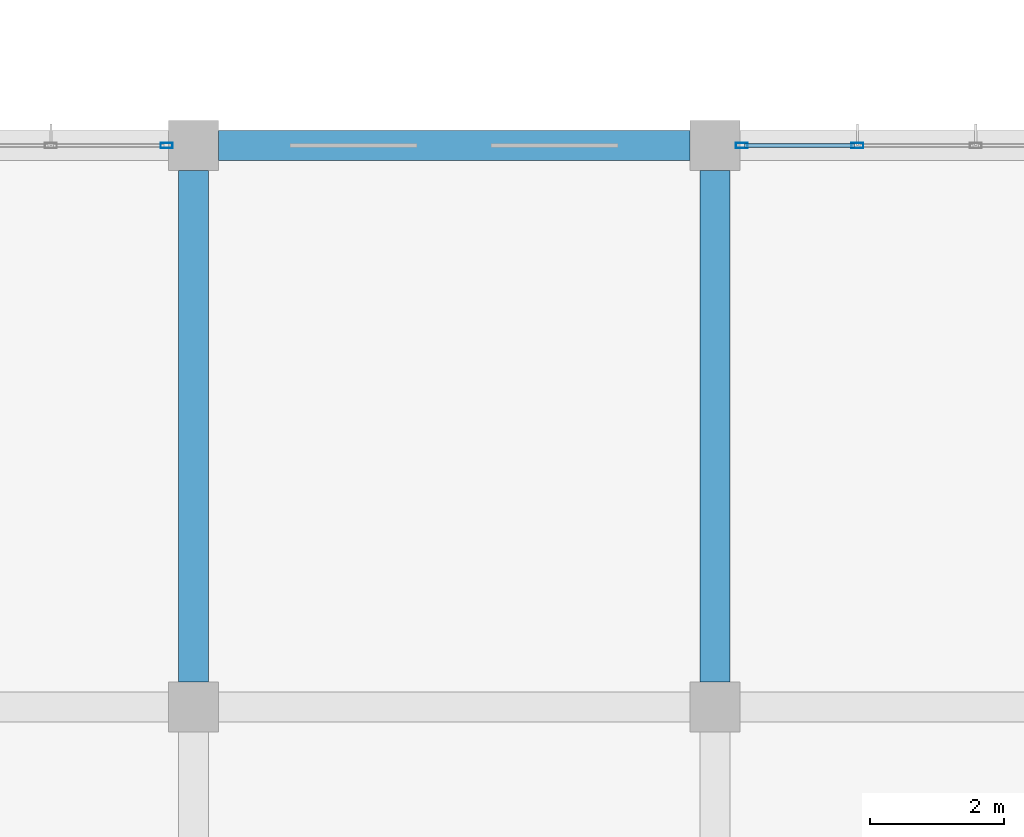
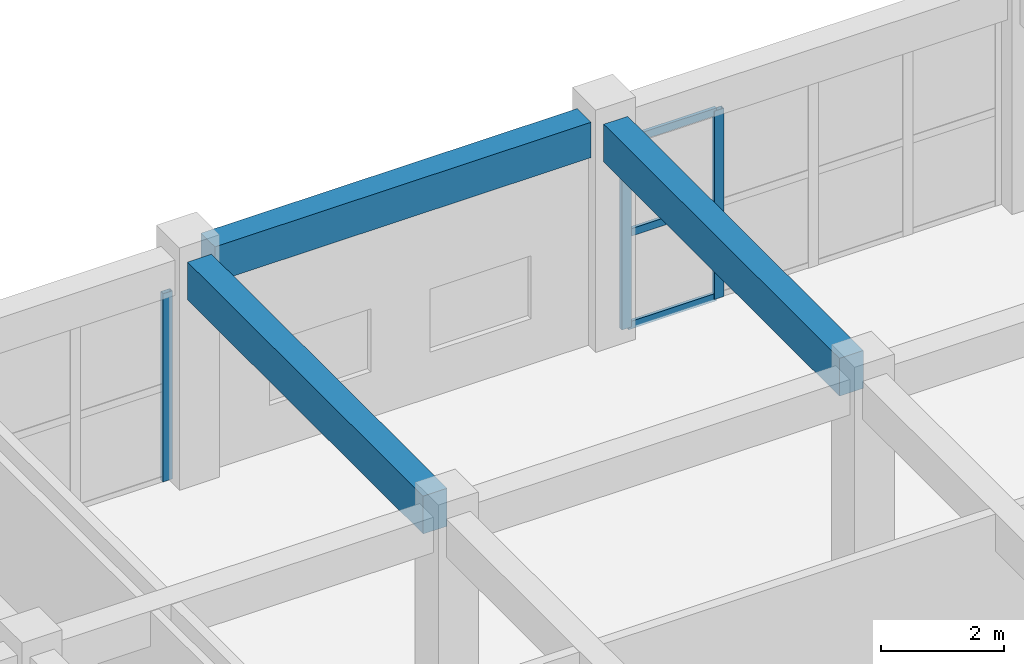
# One storey, part 121 of 167: 6 members, 3 beams, 2 elements without a shape of their own.
"""IFC4 building model written with IfcOpenShell, lengths in metres."""

from ifc_helpers import new_model, si_unit, direction, frame, origin, origin_2d, place, context, subcontext, project, spatial, rectangle, hollow_rectangle, extrude, material, layer, layer_set, material_profile, profile_set, type_object, element, aggregate, save


model = new_model("IFC4")

# Units and contexts
model_context = context("Model", 3, precision=1e-05, world=origin(), true_north=direction((0.0, 1.0)))
body_context = subcontext(model_context, "Body", "Model", "MODEL_VIEW")
ifc_project = project(units=[si_unit("LENGTHUNIT", "METRE"), si_unit("AREAUNIT", "SQUARE_METRE"), si_unit("VOLUMEUNIT", "CUBIC_METRE"), si_unit("PLANEANGLEUNIT", "RADIAN"), si_unit("MASSUNIT", "GRAM", prefix="KILO")], contexts=[model_context])

# Site, building, storey
site_placement = place(None, origin())
site = spatial("IfcSite", under=ifc_project, at=site_placement, CompositionType="ELEMENT")
building_placement = place(site_placement, origin())
building = spatial("IfcBuilding", under=site, at=building_placement, Name="Zizhar Promenade General Hospital", CompositionType="ELEMENT")
storey_placement = place(building_placement, frame((0.0, 0.0, 9.60009765625)))
storey = spatial("IfcBuildingStorey", under=building, at=storey_placement, Name="L02", CompositionType="ELEMENT", Elevation=9.60009765625)

# Beams
ifc_material_1 = material(Name="Concrete C35/45", Category="concrete")
ifc_material_profile_1 = material_profile(ifc_material_1, rectangle(XDim=0.449951171875, YDim=0.699951171875, at=origin_2d()))
ifc_profile_set_1 = profile_set([ifc_material_profile_1], Name="Concrete C35/45")
beam_type_1 = type_object("IfcBeamType", Name="BM-RC-450x700", PredefinedType="BEAM", material=ifc_profile_set_1)
beam_placement = place(storey_placement, frame((93.97509765625, 134.39990234375, 4.119873046875), z_axis=(1.0, 0.0, 0.0), x_axis=(0.0, 1.0, 0.0)))
element("IfcBeam", 1, at=beam_placement, inside=storey, type_object=beam_type_1, Name="Grid Beam X L02 (12-16)", PredefinedType="BEAM", context=body_context, shape_type="SweptSolid", body=[
    extrude(rectangle(XDim=0.449951171875, YDim=0.699951171875, at=origin_2d()), origin(), (0.0, 0.0, 1.0), 7.0498046875),
])
ifc_material_2 = material(Name="Concrete C35/45", Category="concrete")
ifc_material_profile_2 = material_profile(ifc_material_2, rectangle(XDim=0.449951171875, YDim=0.75, at=origin_2d()))
ifc_profile_set_2 = profile_set([ifc_material_profile_2], Name="Concrete C35/45")
beam_type_2 = type_object("IfcBeamType", Name="BM-RC-450x750", PredefinedType="BEAM", material=ifc_profile_set_2)
for number, where, z_axis, x_axis, name in (
    (2, (93.60009765625, 126.375, 4.094970703125), (0.0, 1.0, 0.0), (-1.0, 0.0, 0.0), "Grid Beam Y L02 (12-15)"),
    (3, (101.39990234375, 126.375, 4.094970703125), (0.0, 1.0, 0.0), (-1.0, 0.0, 0.0), "Grid Beam Y L02 (13-15)"),
):
    element("IfcBeam", number, at=place(storey_placement, frame(where, z_axis=z_axis, x_axis=x_axis)), inside=storey, type_object=beam_type_2, Name=name, PredefinedType="BEAM", context=body_context, shape_type="SweptSolid", body=[
        extrude(rectangle(XDim=0.449951171875, YDim=0.75, at=origin_2d()), origin(), (0.0, 0.0, 1.0), 7.64990234375),
    ])

# Curtain wall, member
ifc_material_3 = material(Name="Anodised aluminium 6063-T6 and low-E glass", Category="aluminium")
ifc_layer = layer(ifc_material_3, 0.159912109375)
ifc_layer_set = layer_set([ifc_layer], Name="Anodised aluminium 6063-T6 and low-E glass")
curtain_wall_type = type_object("IfcCurtainWallType", Name="CW-DT-MOD2", PredefinedType="NOTDEFINED", material=ifc_layer_set)
curtain_wall_1_placement = place(storey_placement, origin())
curtain_wall_1 = element("IfcCurtainWall", 4, at=curtain_wall_1_placement, inside=storey, type_object=curtain_wall_type, Name="Surgical North Glazed Curtain Wall L02-11", PredefinedType="NOTDEFINED")
ifc_material_4 = material(Name="Anodised aluminium 6063-T6", Category="aluminium")
ifc_material_profile_3 = material_profile(ifc_material_4, hollow_rectangle(XDim=0.080078125, YDim=0.179931640625, WallThickness=0.0048828125, at=origin_2d()))
ifc_profile_set_3 = profile_set([ifc_material_profile_3], Name="Anodised aluminium 6063-T6")
member_type_1 = type_object("IfcMemberType", Name="CWM-ALU-180x80", PredefinedType="MULLION", material=ifc_profile_set_3)
member_1_placement = place(storey_placement, frame((93.199951171875, 134.39990234375, 0.0), z_axis=(0.0, 0.0, 1.0), x_axis=(0.0, 1.0, 0.0)))
member_1 = element("IfcMember", 5, at=member_1_placement, type_object=member_type_1, Name="CW-08 mullion 5", PredefinedType="MULLION", context=body_context, shape_type="SweptSolid", body=[
    extrude(hollow_rectangle(XDim=0.080078125, YDim=0.179931640625, WallThickness=0.0048828125, at=origin_2d()), origin(), (0.0, 0.0, 1.0), 3.72998046875),
])
aggregate(curtain_wall_1, [member_1])

# Curtain wall, members
curtain_wall_2_placement = place(storey_placement, origin())
curtain_wall_2 = element("IfcCurtainWall", 6, at=curtain_wall_2_placement, inside=storey, type_object=curtain_wall_type, Name="Surgical North Glazed Curtain Wall L02-13", PredefinedType="NOTDEFINED")
member_2_placement = place(storey_placement, frame((101.800048828125, 134.39990234375, 0.0), z_axis=(0.0, 0.0, 1.0), x_axis=(0.0, 1.0, 0.0)))
member_2 = element("IfcMember", 7, at=member_2_placement, type_object=member_type_1, Name="CW-08 mullion 1", PredefinedType="MULLION", context=body_context, shape_type="SweptSolid", body=[
    extrude(hollow_rectangle(XDim=0.080078125, YDim=0.179931640625, WallThickness=0.0048828125, at=origin_2d()), origin(), (0.0, 0.0, 1.0), 3.72998046875),
])
member_3_placement = place(storey_placement, frame((103.530029296875, 134.39990234375, 0.0), z_axis=(0.0, 0.0, 1.0), x_axis=(0.0, 1.0, 0.0)))
member_3 = element("IfcMember", 8, at=member_3_placement, type_object=member_type_1, Name="CW-08 mullion 2", PredefinedType="MULLION", context=body_context, shape_type="SweptSolid", body=[
    extrude(hollow_rectangle(XDim=0.080078125, YDim=0.179931640625, WallThickness=0.0048828125, at=origin_2d()), origin(), (0.0, 0.0, 1.0), 3.72998046875),
])
ifc_material_5 = material(Name="Anodised aluminium 6063-T6", Category="aluminium")
ifc_material_profile_4 = material_profile(ifc_material_5, hollow_rectangle(XDim=0.06005859375, YDim=0.14990234375, WallThickness=0.00390625, at=origin_2d()))
ifc_profile_set_4 = profile_set([ifc_material_profile_4], Name="Anodised aluminium 6063-T6")
member_type_2 = type_object("IfcMemberType", Name="CWT-ALU-150x60", PredefinedType="USERDEFINED", material=ifc_profile_set_4)
member_4_placement = place(storey_placement, frame((101.840087890625, 134.39990234375, 0.02978515625), z_axis=(1.0, 0.0, 0.0), x_axis=(0.0, 1.0, 0.0)))
member_4 = element("IfcMember", 9, at=member_4_placement, type_object=member_type_2, Name="CW-08 transom 1.1", ObjectType="TRANSOM", PredefinedType="USERDEFINED", context=body_context, shape_type="SweptSolid", body=[
    extrude(hollow_rectangle(XDim=0.06005859375, YDim=0.14990234375, WallThickness=0.00390625, at=origin_2d()), origin(), (0.0, 0.0, 1.0), 1.64990234375),
])
member_5_placement = place(storey_placement, frame((101.840087890625, 134.39990234375, 1.864990234375), z_axis=(1.0, 0.0, 0.0), x_axis=(0.0, 1.0, 0.0)))
member_5 = element("IfcMember", 10, at=member_5_placement, type_object=member_type_2, Name="CW-08 transom 1.2", ObjectType="TRANSOM", PredefinedType="USERDEFINED", context=body_context, shape_type="SweptSolid", body=[
    extrude(hollow_rectangle(XDim=0.06005859375, YDim=0.14990234375, WallThickness=0.00390625, at=origin_2d()), origin(), (0.0, 0.0, 1.0), 1.64990234375),
])
member_6_placement = place(storey_placement, frame((101.840087890625, 134.39990234375, 3.699951171875), z_axis=(1.0, 0.0, 0.0), x_axis=(0.0, 1.0, 0.0)))
member_6 = element("IfcMember", 11, at=member_6_placement, type_object=member_type_2, Name="CW-08 transom 1.3", ObjectType="TRANSOM", PredefinedType="USERDEFINED", context=body_context, shape_type="SweptSolid", body=[
    extrude(hollow_rectangle(XDim=0.06005859375, YDim=0.14990234375, WallThickness=0.00390625, at=origin_2d()), origin(), (0.0, 0.0, 1.0), 1.64990234375),
])
aggregate(curtain_wall_2, [member_2, member_3, member_4, member_5, member_6])

save(model, "model.ifc")
